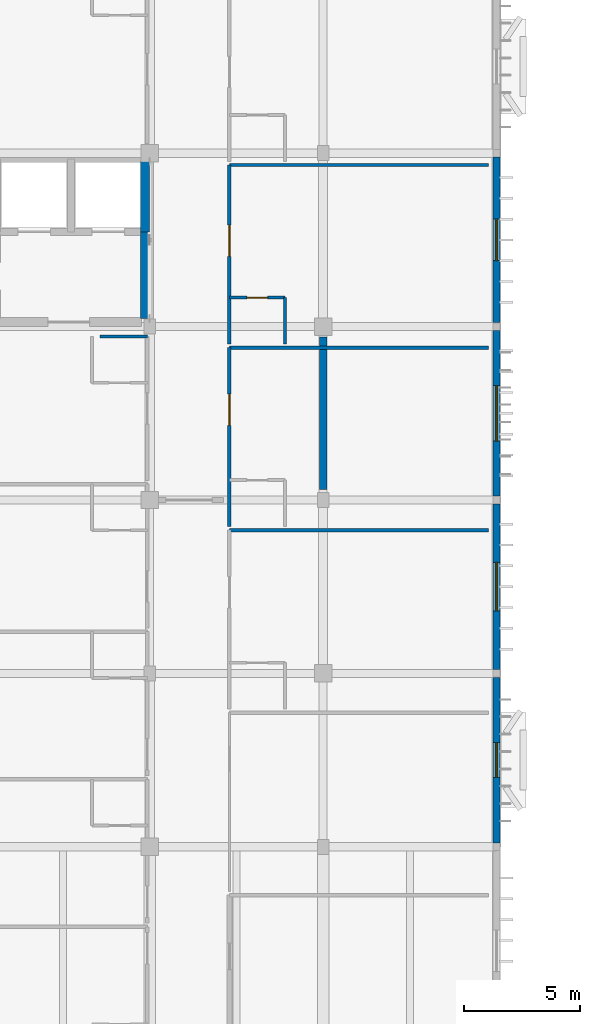
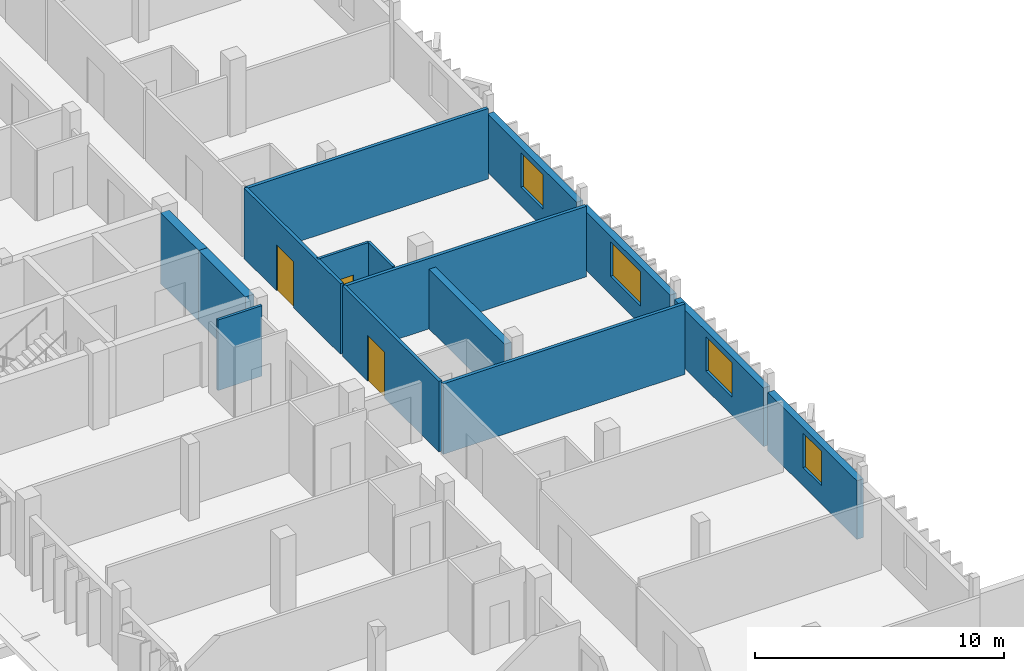
# One storey, part 18 of 43: 15 walls, 4 windows, 3 doors, 7 openings.
"""IFC4 building model written with IfcOpenShell, lengths in metres."""

from ifc_helpers import new_model, si_unit, direction, frame, frame_2d, origin, place, context, subcontext, project, spatial, rectangle, extrude, material, layer, layer_set, type_object, element, fill, save


model = new_model("IFC4")

# Units and contexts
model_context = context("Model", 3, precision=1e-05, world=origin(), true_north=direction((0.0, 1.0)))
body_context = subcontext(model_context, "Body", "Model", "MODEL_VIEW")
ifc_project = project(units=[si_unit("LENGTHUNIT", "METRE"), si_unit("AREAUNIT", "SQUARE_METRE"), si_unit("VOLUMEUNIT", "CUBIC_METRE"), si_unit("PLANEANGLEUNIT", "RADIAN"), si_unit("MASSUNIT", "GRAM", prefix="KILO")], contexts=[model_context])

# Site, building, storey
site_placement = place(None, origin())
site = spatial("IfcSite", under=ifc_project, at=site_placement, CompositionType="ELEMENT")
building_placement = place(site_placement, origin())
building = spatial("IfcBuilding", under=site, at=building_placement, Name="Dalvernix Boulevard General Hospital", CompositionType="ELEMENT")
storey_placement = place(building_placement, frame((0.0, 0.0, 14.10009765625)))
storey = spatial("IfcBuildingStorey", under=building, at=storey_placement, Name="L03", CompositionType="ELEMENT", Elevation=14.10009765625)

# Walls
ifc_material_1 = material(Name="Concrete C40/50", Category="concrete")
ifc_layer_1 = layer(ifc_material_1, 0.39990234375)
ifc_layer_set_1 = layer_set([ifc_layer_1], Name="Concrete C40/50 (WAL-CSW-01)")
wall_type_1 = type_object("IfcWallType", Name="WAL-CSW-01", PredefinedType="SHEAR", material=ifc_layer_set_1)
wall_1_placement = place(storey_placement, frame((14.800048828125, 54.35009765625, 0.0), z_axis=(0.0, 0.0, 1.0), x_axis=(0.0, 1.0, 0.0)))
element("IfcWall", 1, at=wall_1_placement, inside=storey, type_object=wall_type_1, Name="L03 C2 east lobby core wall", PredefinedType="SHEAR", context=body_context, shape_type="SweptSolid", body=[
    extrude(rectangle(XDim=3.75, YDim=0.39990234375, at=frame_2d((1.875, 0.0))), origin(), (0.0, 0.0, 1.0), 3.469970703125),
])
wall_2_placement = place(storey_placement, frame((14.800048828125, 58.10009765625, 0.0), z_axis=(0.0, 0.0, 1.0), x_axis=(0.0, 1.0, 0.0)))
element("IfcWall", 2, at=wall_2_placement, inside=storey, type_object=wall_type_1, Name="L03 C2 east shaft core wall", PredefinedType="SHEAR", context=body_context, shape_type="SweptSolid", body=[
    extrude(rectangle(XDim=3.0498046875, YDim=0.39990234375, at=frame_2d((1.52490234375, 0.0))), origin(), (0.0, 0.0, 1.0), 3.469970703125),
])
ifc_layer_2 = layer(ifc_material_1, 0.320068359375)
ifc_layer_set_2 = layer_set([ifc_layer_2], Name="Concrete C40/50 (WAL-ESW-02)")
wall_type_2 = type_object("IfcWallType", Name="WAL-ESW-02", PredefinedType="SHEAR", material=ifc_layer_set_2)
wall_3_placement = place(storey_placement, frame((22.5, 46.949951171875, 0.0), z_axis=(0.0, 0.0, 1.0), x_axis=(0.0, 1.0, 0.0)))
element("IfcWall", 3, at=wall_3_placement, inside=storey, type_object=wall_type_2, Name="L03 reinforced concrete shear wall 2", PredefinedType="SHEAR", context=body_context, shape_type="SweptSolid", body=[
    extrude(rectangle(XDim=6.60009765625, YDim=0.320068359375, at=frame_2d((3.300048828125, 0.0))), origin(), (0.0, 0.0, 1.0), 2.919921875),
])

# Wall, opening, window
ifc_material_2 = material(Name="Pressed Catalan clay brick and ceramic spandrel wall C35/45", Category="masonry")
ifc_layer_3 = layer(ifc_material_2, 0.300048828125)
ifc_layer_set_3 = layer_set([ifc_layer_3], Name="Pressed Catalan clay brick and ceramic spandrel wall C35/45 (WAL-EW-02)")
wall_type_3 = type_object("IfcWallType", Name="WAL-EW-02", PredefinedType="STANDARD", material=ifc_layer_set_3)
wall_4_placement = place(storey_placement, frame((30.0, 38.830078125, 0.0), z_axis=(0.0, 0.0, 1.0), x_axis=(0.0, -1.0, 0.0)))
wall_4 = element("IfcWall", 4, at=wall_4_placement, inside=storey, type_object=wall_type_3, Name="L03 Catalan brick external wall E 4-4", PredefinedType="STANDARD", context=body_context, shape_type="SweptSolid", body=[
    extrude(rectangle(XDim=7.16015625, YDim=0.300048828125, at=frame_2d((3.580078125, 0.0))), origin(), (0.0, 0.0, 1.0), 2.869873046875),
])
opening_1_placement = place(wall_4_placement, frame((2.830078125, 0.0, 0.89990234375)))
opening_1 = element("IfcOpeningElement", 5, at=opening_1_placement, cuts=wall_4, Name="Opening WN-02", PredefinedType="OPENING", context=body_context, shape_type="SweptSolid", body=[
    extrude(rectangle(XDim=1.5, YDim=1.68994140625, at=frame_2d((0.75, 0.844970703125))), frame((0.0, 0.159912109375, 0.0), z_axis=(0.0, -1.0, 0.0), x_axis=(1.0, 0.0, 0.0)), (0.0, 0.0, 1.0), 0.320068359375),
])
ifc_material_3 = material(Name="Thermally broken aluminium frame with solar-control double glazing", Category="aluminium")
window_type_1 = type_object("IfcWindowType", Name="WIN-WN-02", PartitioningType="SINGLE_PANEL", PredefinedType="WINDOW", material=ifc_material_3)
window_1_placement = place(opening_1_placement, origin())
window_1 = element("IfcWindow", 6, at=window_1_placement, inside=storey, type_object=window_type_1, Name="L03 clinical window WN-02 E 4-4", OverallHeight=1.68994140625, OverallWidth=1.5, PartitioningType="SINGLE_PANEL", PredefinedType="WINDOW", context=body_context, shape_type="SweptSolid", body=[
    extrude(rectangle(XDim=1.5, YDim=1.68994140625, at=frame_2d((0.75, 0.844970703125))), frame((0.0, 0.030029296875, 0.0), z_axis=(0.0, -1.0, 0.0), x_axis=(1.0, 0.0, 0.0)), (0.0, 0.0, 1.0), 0.06005859375),
])
fill(opening_1, window_1)

wall_5_placement = place(storey_placement, frame((30.0, 46.330078125, 0.0), z_axis=(0.0, 0.0, 1.0), x_axis=(0.0, -1.0, 0.0)))
wall_5 = element("IfcWall", 7, at=wall_5_placement, inside=storey, type_object=wall_type_3, Name="L03 Catalan brick external wall E 4-5", PredefinedType="STANDARD", context=body_context, shape_type="SweptSolid", body=[
    extrude(rectangle(XDim=7.16015625, YDim=0.300048828125, at=frame_2d((3.580078125, 0.0))), origin(), (0.0, 0.0, 1.0), 2.869873046875),
])
opening_2_placement = place(wall_5_placement, frame((2.530029296875, 0.0, 0.89990234375)))
opening_2 = element("IfcOpeningElement", 8, at=opening_2_placement, cuts=wall_5, Name="Opening WN-03", PredefinedType="OPENING", context=body_context, shape_type="SweptSolid", body=[
    extrude(rectangle(XDim=2.10009765625, YDim=1.68994140625, at=frame_2d((1.050048828125, 0.844970703125))), frame((0.0, 0.159912109375, 0.0), z_axis=(0.0, -1.0, 0.0), x_axis=(1.0, 0.0, 0.0)), (0.0, 0.0, 1.0), 0.320068359375),
])
window_type_2 = type_object("IfcWindowType", Name="WIN-WN-03", PartitioningType="SINGLE_PANEL", PredefinedType="WINDOW", material=ifc_material_3)
window_2_placement = place(opening_2_placement, origin())
window_2 = element("IfcWindow", 9, at=window_2_placement, inside=storey, type_object=window_type_2, Name="L03 clinical window WN-03 E 4-5", OverallHeight=1.68994140625, OverallWidth=2.10009765625, PartitioningType="SINGLE_PANEL", PredefinedType="WINDOW", context=body_context, shape_type="SweptSolid", body=[
    extrude(rectangle(XDim=2.10009765625, YDim=1.68994140625, at=frame_2d((1.050048828125, 0.844970703125))), frame((0.0, 0.030029296875, 0.0), z_axis=(0.0, -1.0, 0.0), x_axis=(1.0, 0.0, 0.0)), (0.0, 0.0, 1.0), 0.06005859375),
])
fill(opening_2, window_2)

wall_6_placement = place(storey_placement, frame((30.0, 53.830078125, 0.0), z_axis=(0.0, 0.0, 1.0), x_axis=(0.0, -1.0, 0.0)))
wall_6 = element("IfcWall", 10, at=wall_6_placement, inside=storey, type_object=wall_type_3, Name="L03 Catalan brick external wall E 4-6", PredefinedType="STANDARD", context=body_context, shape_type="SweptSolid", body=[
    extrude(rectangle(XDim=7.16015625, YDim=0.300048828125, at=frame_2d((3.580078125, 0.0))), origin(), (0.0, 0.0, 1.0), 2.869873046875),
])
opening_3_placement = place(wall_6_placement, frame((2.3798828125, 0.0, 0.89990234375)))
opening_3 = element("IfcOpeningElement", 11, at=opening_3_placement, cuts=wall_6, Name="Opening WN-04", PredefinedType="OPENING", context=body_context, shape_type="SweptSolid", body=[
    extrude(rectangle(XDim=2.39990234375, YDim=1.68994140625, at=frame_2d((1.199951171875, 0.844970703125))), frame((0.0, 0.159912109375, 0.0), z_axis=(0.0, -1.0, 0.0), x_axis=(1.0, 0.0, 0.0)), (0.0, 0.0, 1.0), 0.320068359375),
])
window_type_3 = type_object("IfcWindowType", Name="WIN-WN-04", PartitioningType="SINGLE_PANEL", PredefinedType="WINDOW", material=ifc_material_3)
window_3_placement = place(opening_3_placement, origin())
window_3 = element("IfcWindow", 12, at=window_3_placement, inside=storey, type_object=window_type_3, Name="L03 clinical window WN-04 E 4-6", OverallHeight=1.68994140625, OverallWidth=2.39990234375, PartitioningType="SINGLE_PANEL", PredefinedType="WINDOW", context=body_context, shape_type="SweptSolid", body=[
    extrude(rectangle(XDim=2.39990234375, YDim=1.68994140625, at=frame_2d((1.199951171875, 0.844970703125))), frame((0.0, 0.030029296875, 0.0), z_axis=(0.0, -1.0, 0.0), x_axis=(1.0, 0.0, 0.0)), (0.0, 0.0, 1.0), 0.06005859375),
])
fill(opening_3, window_3)

wall_7_placement = place(storey_placement, frame((30.0, 61.330078125, 0.0), z_axis=(0.0, 0.0, 1.0), x_axis=(0.0, -1.0, 0.0)))
wall_7 = element("IfcWall", 13, at=wall_7_placement, inside=storey, type_object=wall_type_3, Name="L03 Catalan brick external wall E 4-7", PredefinedType="STANDARD", context=body_context, shape_type="SweptSolid", body=[
    extrude(rectangle(XDim=7.16015625, YDim=0.300048828125, at=frame_2d((3.580078125, 0.0))), origin(), (0.0, 0.0, 1.0), 2.869873046875),
])
opening_4_placement = place(wall_7_placement, frame((2.679931640625, 0.0, 0.89990234375)))
opening_4 = element("IfcOpeningElement", 14, at=opening_4_placement, cuts=wall_7, Name="Opening WN-05", PredefinedType="OPENING", context=body_context, shape_type="SweptSolid", body=[
    extrude(rectangle(XDim=1.800048828125, YDim=1.68994140625, at=frame_2d((0.89990234375, 0.844970703125))), frame((0.0, 0.159912109375, 0.0), z_axis=(0.0, -1.0, 0.0), x_axis=(1.0, 0.0, 0.0)), (0.0, 0.0, 1.0), 0.320068359375),
])
window_type_4 = type_object("IfcWindowType", Name="WIN-WN-05", PartitioningType="SINGLE_PANEL", PredefinedType="WINDOW", material=ifc_material_3)
window_4_placement = place(opening_4_placement, origin())
window_4 = element("IfcWindow", 15, at=window_4_placement, inside=storey, type_object=window_type_4, Name="L03 clinical window WN-05 E 4-7", OverallHeight=1.68994140625, OverallWidth=1.800048828125, PartitioningType="SINGLE_PANEL", PredefinedType="WINDOW", context=body_context, shape_type="SweptSolid", body=[
    extrude(rectangle(XDim=1.800048828125, YDim=1.68994140625, at=frame_2d((0.89990234375, 0.844970703125))), frame((0.0, 0.030029296875, 0.0), z_axis=(0.0, -1.0, 0.0), x_axis=(1.0, 0.0, 0.0)), (0.0, 0.0, 1.0), 0.06005859375),
])
fill(opening_4, window_4)

# Wall, opening, door
ifc_material_4 = material(Name="Acoustic double-stud gypsum inpatient partition")
ifc_layer_4 = layer(ifc_material_4, 0.14990234375)
ifc_layer_set_4 = layer_set([ifc_layer_4], Name="Acoustic double-stud gypsum inpatient partition (WAL-IW-04)")
wall_type_4 = type_object("IfcWallType", Name="WAL-IW-04", PredefinedType="PARTITIONING", material=ifc_layer_set_4)
wall_8_placement = place(storey_placement, frame((18.449951171875, 53.094970703125, 0.0), z_axis=(0.0, 0.0, 1.0), x_axis=(0.0, -1.0, 0.0)))
wall_8 = element("IfcWall", 16, at=wall_8_placement, inside=storey, type_object=wall_type_4, Name="L03 Single Patient Room L03-E04 corridor wall", PredefinedType="PARTITIONING", context=body_context, shape_type="SweptSolid", body=[
    extrude(rectangle(XDim=7.73486328125, YDim=0.14990234375, at=frame_2d((3.867431640625, 0.0))), origin(), (0.0, 0.0, 1.0), 3.454833984375),
])
opening_5_placement = place(wall_8_placement, frame((2.015380859375, 0.0, 0.0)))
opening_5 = element("IfcOpeningElement", 17, at=opening_5_placement, cuts=wall_8, Name="Opening ID-01", PredefinedType="OPENING", context=body_context, shape_type="SweptSolid", body=[
    extrude(rectangle(XDim=1.35009765625, YDim=2.25, at=frame_2d((0.675048828125, 1.125))), frame((0.0, 0.0849609375, 0.0), z_axis=(0.0, -1.0, 0.0), x_axis=(1.0, 0.0, 0.0)), (0.0, 0.0, 1.0), 0.169921875),
])
ifc_material_5 = material(Name="Hospital laminate acoustic timber and steel frame", Category="steel")
door_type_1 = type_object("IfcDoorType", Name="DR-ID-01", OperationType="NOTDEFINED", PredefinedType="DOOR", material=ifc_material_5)
door_1_placement = place(opening_5_placement, origin())
door_1 = element("IfcDoor", 18, at=door_1_placement, inside=storey, type_object=door_type_1, Name="L03 Single Patient Room L03-E04 door", OperationType="SINGLE_SWING_LEFT", OverallHeight=2.25, OverallWidth=1.35009765625, PredefinedType="DOOR", context=body_context, shape_type="SweptSolid", body=[
    extrude(rectangle(XDim=1.35009765625, YDim=2.25, at=frame_2d((0.675048828125, 1.125))), frame((0.0, 0.02490234375, 0.0), z_axis=(0.0, -1.0, 0.0), x_axis=(1.0, 0.0, 0.0)), (0.0, 0.0, 1.0), 0.050048828125),
])
fill(opening_5, door_1)

wall_9_placement = place(storey_placement, frame((18.449951171875, 60.989990234375, 0.0), z_axis=(0.0, 0.0, 1.0), x_axis=(0.0, -1.0, 0.0)))
wall_9 = element("IfcWall", 19, at=wall_9_placement, inside=storey, type_object=wall_type_4, Name="L03 Single Patient Room L03-E05 corridor wall", PredefinedType="PARTITIONING", context=body_context, shape_type="SweptSolid", body=[
    extrude(rectangle(XDim=7.735107421875, YDim=0.14990234375, at=frame_2d((3.86767578125, 0.0))), origin(), (0.0, 0.0, 1.0), 3.454833984375),
])
opening_6_placement = place(wall_9_placement, frame((2.60400390625, 0.0, 0.0)))
opening_6 = element("IfcOpeningElement", 20, at=opening_6_placement, cuts=wall_9, Name="Opening ID-01", PredefinedType="OPENING", context=body_context, shape_type="SweptSolid", body=[
    extrude(rectangle(XDim=1.35009765625, YDim=2.25, at=frame_2d((0.675048828125, 1.125))), frame((0.0, 0.0849609375, 0.0), z_axis=(0.0, -1.0, 0.0), x_axis=(1.0, 0.0, 0.0)), (0.0, 0.0, 1.0), 0.169921875),
])
door_2_placement = place(opening_6_placement, origin())
door_2 = element("IfcDoor", 21, at=door_2_placement, inside=storey, type_object=door_type_1, Name="L03 Single Patient Room L03-E05 door", OperationType="SINGLE_SWING_LEFT", OverallHeight=2.25, OverallWidth=1.35009765625, PredefinedType="DOOR", context=body_context, shape_type="SweptSolid", body=[
    extrude(rectangle(XDim=1.35009765625, YDim=2.25, at=frame_2d((0.675048828125, 1.125))), frame((0.0, 0.02490234375, 0.0), z_axis=(0.0, -1.0, 0.0), x_axis=(1.0, 0.0, 0.0)), (0.0, 0.0, 1.0), 0.050048828125),
])
fill(opening_6, door_2)

# Walls
for number, where, z_axis, x_axis, name in (
    (22, (18.449951171875, 45.199951171875, 0.0), (0.0, 0.0, 1.0), (1.0, 0.0, 0.0), "L03 Single Patient Room L03-E03 partition"),
    (23, (18.449951171875, 53.094970703125, 0.0), (0.0, 0.0, 1.0), (1.0, 0.0, 0.0), "L03 Single Patient Room L03-E04 partition"),
    (24, (18.449951171875, 60.989990234375, 0.0), (0.0, 0.0, 1.0), (1.0, 0.0, 0.0), "L03 Single Patient Room L03-E05 partition"),
):
    element("IfcWall", number, at=place(storey_placement, frame(where, z_axis=z_axis, x_axis=x_axis)), inside=storey, type_object=wall_type_4, Name=name, PredefinedType="PARTITIONING", context=body_context, shape_type="SweptSolid", body=[
        extrude(rectangle(XDim=11.199951171875, YDim=0.14990234375, at=frame_2d((5.60009765625, 0.0))), origin(), (0.0, 0.0, 1.0), 3.454833984375),
    ])

# Wall, opening, door
ifc_material_6 = material(Name="Moisture-resistant en-suite bathroom partition")
ifc_layer_5 = layer(ifc_material_6, 0.1201171875)
ifc_layer_set_5 = layer_set([ifc_layer_5], Name="Moisture-resistant en-suite bathroom partition (WAL-IW-05)")
wall_type_5 = type_object("IfcWallType", Name="WAL-IW-05", PredefinedType="PARTITIONING", material=ifc_layer_set_5)
wall_10_placement = place(storey_placement, frame((20.85009765625, 55.2548828125, 0.0), z_axis=(0.0, 0.0, 1.0), x_axis=(-1.0, 0.0, 0.0)))
wall_10 = element("IfcWall", 25, at=wall_10_placement, inside=storey, type_object=wall_type_5, Name="L03 en-suite bathroom door wall", PredefinedType="PARTITIONING", context=body_context, shape_type="SweptSolid", body=[
    extrude(rectangle(XDim=2.400146484375, YDim=0.1201171875, at=frame_2d((1.2001953125, 0.0))), origin(), (0.0, 0.0, 1.0), 3.454833984375),
])
opening_7_placement = place(wall_10_placement, frame((0.75, 0.0, 0.0)))
opening_7 = element("IfcOpeningElement", 26, at=opening_7_placement, cuts=wall_10, Name="Opening ID-05", PredefinedType="OPENING", context=body_context, shape_type="SweptSolid", body=[
    extrude(rectangle(XDim=0.89990234375, YDim=2.10009765625, at=frame_2d((0.449951171875, 1.050048828125))), frame((0.0, 0.070068359375, 0.0), z_axis=(0.0, -1.0, 0.0), x_axis=(1.0, 0.0, 0.0)), (0.0, 0.0, 1.0), 0.14013671875),
])
door_type_2 = type_object("IfcDoorType", Name="DR-ID-05", OperationType="NOTDEFINED", PredefinedType="DOOR", material=ifc_material_5)
door_3_placement = place(opening_7_placement, origin())
door_3 = element("IfcDoor", 27, at=door_3_placement, inside=storey, type_object=door_type_2, Name="L03 L03-RM-E05 en-suite bathroom door", OperationType="SINGLE_SWING_RIGHT", OverallHeight=2.10009765625, OverallWidth=0.89990234375, PredefinedType="DOOR", context=body_context, shape_type="SweptSolid", body=[
    extrude(rectangle(XDim=0.89990234375, YDim=2.10009765625, at=frame_2d((0.449951171875, 1.050048828125))), frame((0.0, 0.02490234375, 0.0), z_axis=(0.0, -1.0, 0.0), x_axis=(1.0, 0.0, 0.0)), (0.0, 0.0, 1.0), 0.050048828125),
])
fill(opening_7, door_3)

# Walls
wall_11_placement = place(storey_placement, frame((20.85009765625, 53.2548828125, 0.0), z_axis=(0.0, 0.0, 1.0), x_axis=(0.0, 1.0, 0.0)))
element("IfcWall", 28, at=wall_11_placement, inside=storey, type_object=wall_type_5, Name="L03 en-suite bathroom side wall", PredefinedType="PARTITIONING", context=body_context, shape_type="SweptSolid", body=[
    extrude(rectangle(XDim=2.0, YDim=0.1201171875, at=frame_2d((1.0, 0.0))), origin(), (0.0, 0.0, 1.0), 3.454833984375),
])
wall_12_placement = place(storey_placement, frame((12.85009765625, 53.570068359375, 0.0), z_axis=(0.0, 0.0, 1.0), x_axis=(1.0, 0.0, 0.0)))
element("IfcWall", 29, at=wall_12_placement, inside=storey, type_object=wall_type_5, Name="L03 En-suite Bathroom WRD-W07 enclosure wall N", PredefinedType="PARTITIONING", context=body_context, shape_type="SweptSolid", body=[
    extrude(rectangle(XDim=2.0498046875, YDim=0.1201171875, at=frame_2d((1.02490234375, 0.0))), origin(), (0.0, 0.0, 1.0), 3.454833984375),
])

save(model, "model.ifc")
